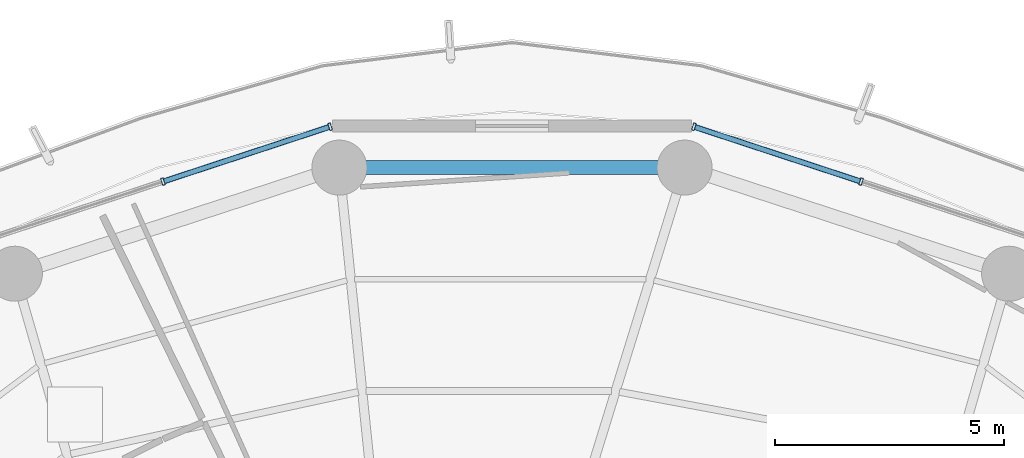
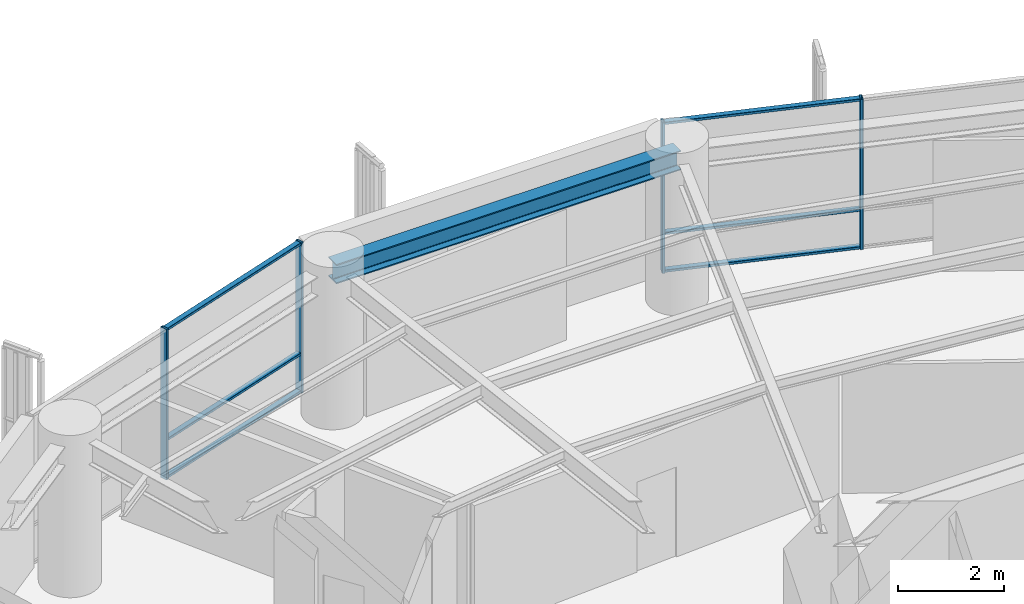
# One storey, part 18 of 29: 10 members, 1 beam, 2 elements without a shape of their own.
"""IFC4 building model written with IfcOpenShell, lengths in metres."""

from ifc_helpers import new_model, si_unit, direction, frame, origin, origin_2d, place, context, subcontext, project, spatial, hollow_rectangle, i_section, extrude, material, layer, layer_set, material_profile, profile_set, type_object, element, aggregate, save


model = new_model("IFC4")

# Units and contexts
model_context = context("Model", 3, precision=1e-05, world=origin(), true_north=direction((0.0, 1.0)))
body_context = subcontext(model_context, "Body", "Model", "MODEL_VIEW")
ifc_project = project(units=[si_unit("LENGTHUNIT", "METRE"), si_unit("AREAUNIT", "SQUARE_METRE"), si_unit("VOLUMEUNIT", "CUBIC_METRE"), si_unit("PLANEANGLEUNIT", "RADIAN"), si_unit("MASSUNIT", "GRAM", prefix="KILO")], contexts=[model_context])

# Site, building, storey
site_placement = place(None, origin())
site = spatial("IfcSite", under=ifc_project, at=site_placement, CompositionType="ELEMENT")
building_placement = place(site_placement, origin())
building = spatial("IfcBuilding", under=site, at=building_placement, Name="Kelanora Arch Commons", CompositionType="ELEMENT")
storey_placement = place(building_placement, frame((0.0, 0.0, 135.60009765625)))
storey = spatial("IfcBuildingStorey", under=building, at=storey_placement, Name="L34", CompositionType="ELEMENT", Elevation=135.60009765625)

# Beam
ifc_material_1 = material(Name="Steel S355", Category="steel")
ifc_material_profile_1 = material_profile(ifc_material_1, i_section(OverallWidth=0.300048828125, OverallDepth=0.449951171875, WebThickness=0.013916015625, FlangeThickness=0.02587890625, FilletRadius=0.027099609375, at=origin_2d()), Name="HEB450")
ifc_profile_set_1 = profile_set([ifc_material_profile_1], Name="Steel S355")
beam_type = type_object("IfcBeamType", Name="BM-SPN-Z3", PredefinedType="SPANDREL", material=ifc_profile_set_1)
beam_placement = place(storey_placement, frame((77.7646484375, 77.18408203125, 3.264892578125), z_axis=(-1.0, 0.0, 0.0), x_axis=(0.0, -1.0, 0.0)))
element("IfcBeam", 1, at=beam_placement, inside=storey, type_object=beam_type, Name="Perimeter Spandrel Beam BS-08 L34", PredefinedType="SPANDREL", context=body_context, shape_type="SweptSolid", body=[
    extrude(i_section(OverallWidth=0.300048828125, OverallDepth=0.449951171875, WebThickness=0.013916015625, FlangeThickness=0.02587890625, FilletRadius=0.027099609375, at=origin_2d()), origin(), (0.0, 0.0, 1.0), 7.529296875),
])

# Curtain wall, members
ifc_material_2 = material(Name="Terracotta ceramic-fritted low-E glass and aluminium", Category="masonry")
ifc_layer = layer(ifc_material_2, 0.175048828125)
ifc_layer_set = layer_set([ifc_layer], Name="Terracotta ceramic-fritted low-E glass and aluminium")
curtain_wall_type = type_object("IfcCurtainWallType", Name="CW-SYS-02", PredefinedType="NOTDEFINED", material=ifc_layer_set)
curtain_wall_1_placement = place(storey_placement, origin())
curtain_wall_1 = element("IfcCurtainWall", 2, at=curtain_wall_1_placement, inside=storey, type_object=curtain_wall_type, Name="Unitised Curtain Wall L34-B03", PredefinedType="NOTDEFINED")
ifc_material_3 = material(Name="Powder-coated aluminium terracotta", Category="masonry")
ifc_material_profile_2 = material_profile(ifc_material_3, hollow_rectangle(XDim=0.159912109375, YDim=0.06005859375, WallThickness=0.0048828125, InnerFilletRadius=0.0048828125, OuterFilletRadius=0.010009765625, at=origin_2d()), Name="CWM160x60")
ifc_profile_set_2 = profile_set([ifc_material_profile_2], Name="Powder-coated aluminium terracotta")
member_type_1 = type_object("IfcMemberType", Name="CWM-STD", PredefinedType="MULLION", material=ifc_profile_set_2)
member_1_placement = place(storey_placement, frame((81.6123046875, 76.87841796875, 0.0), z_axis=(0.0, 0.0, 1.0), x_axis=(-0.312128279571, -0.95003996605, 0.0)))
member_1 = element("IfcMember", 3, at=member_1_placement, type_object=member_type_1, Name="CW-02 mullion 2", PredefinedType="MULLION", context=body_context, shape_type="SweptSolid", body=[
    extrude(hollow_rectangle(XDim=0.159912109375, YDim=0.06005859375, WallThickness=0.0048828125, InnerFilletRadius=0.0048828125, OuterFilletRadius=0.010009765625, at=origin_2d()), origin(), (0.0, 0.0, 1.0), 3.474853515625),
])
member_2_placement = place(storey_placement, frame((77.96728515625, 78.075927734375, 0.0), z_axis=(0.0, 0.0, 1.0), x_axis=(-0.312128279571, -0.95003996605, 0.0)))
member_2 = element("IfcMember", 4, at=member_2_placement, type_object=member_type_1, Name="CW-02 mullion 3", PredefinedType="MULLION", context=body_context, shape_type="SweptSolid", body=[
    extrude(hollow_rectangle(XDim=0.159912109375, YDim=0.06005859375, WallThickness=0.0048828125, InnerFilletRadius=0.0048828125, OuterFilletRadius=0.010009765625, at=origin_2d()), origin(), (0.0, 0.0, 1.0), 3.474853515625),
])

curtain_wall_2_placement = place(storey_placement, origin())
curtain_wall_2 = element("IfcCurtainWall", 5, at=curtain_wall_2_placement, inside=storey, type_object=curtain_wall_type, Name="Unitised Curtain Wall L34-B05", PredefinedType="NOTDEFINED")
member_3_placement = place(storey_placement, frame((70.03271484375, 78.075927734375, 0.0), z_axis=(0.0, 0.0, 1.0), x_axis=(0.312128279571, -0.95003996605, 0.0)))
member_3 = element("IfcMember", 6, at=member_3_placement, type_object=member_type_1, Name="CW-02 mullion 1", PredefinedType="MULLION", context=body_context, shape_type="SweptSolid", body=[
    extrude(hollow_rectangle(XDim=0.159912109375, YDim=0.06005859375, WallThickness=0.0048828125, InnerFilletRadius=0.0048828125, OuterFilletRadius=0.010009765625, at=origin_2d()), origin(), (0.0, 0.0, 1.0), 3.474853515625),
])
member_4_placement = place(storey_placement, frame((66.3876953125, 76.87841796875, 0.0), z_axis=(0.0, 0.0, 1.0), x_axis=(0.312128279571, -0.95003996605, 0.0)))
member_4 = element("IfcMember", 7, at=member_4_placement, type_object=member_type_1, Name="CW-02 mullion 2", PredefinedType="MULLION", context=body_context, shape_type="SweptSolid", body=[
    extrude(hollow_rectangle(XDim=0.159912109375, YDim=0.06005859375, WallThickness=0.0048828125, InnerFilletRadius=0.0048828125, OuterFilletRadius=0.010009765625, at=origin_2d()), origin(), (0.0, 0.0, 1.0), 3.474853515625),
])

# Member
ifc_material_profile_3 = material_profile(ifc_material_3, hollow_rectangle(XDim=0.1201171875, YDim=0.06005859375, WallThickness=0.0048828125, InnerFilletRadius=0.0048828125, OuterFilletRadius=0.010009765625, at=origin_2d()), Name="CWT120x60")
ifc_profile_set_3 = profile_set([ifc_material_profile_3], Name="Powder-coated aluminium terracotta")
member_type_2 = type_object("IfcMemberType", Name="CWT-STD", PredefinedType="USERDEFINED", material=ifc_profile_set_3)
member_5_placement = place(storey_placement, frame((81.583740234375, 76.887939453125, 0.02978515625), z_axis=(-0.950051191155, 0.312094111104, 0.0), x_axis=(-0.312094111104, -0.950051191155, 0.0)))
member_5 = element("IfcMember", 8, at=member_5_placement, type_object=member_type_2, Name="CW-02 transom 2.1", ObjectType="TRANSOM", PredefinedType="USERDEFINED", context=body_context, shape_type="SweptSolid", body=[
    extrude(hollow_rectangle(XDim=0.1201171875, YDim=0.06005859375, WallThickness=0.0048828125, InnerFilletRadius=0.0048828125, OuterFilletRadius=0.010009765625, at=origin_2d()), origin(), (0.0, 0.0, 1.0), 3.77685546875),
])

member_6_placement = place(storey_placement, frame((81.583740234375, 76.887939453125, 0.89990234375), z_axis=(-0.950051191155, 0.312094111104, 0.0), x_axis=(-0.312094111104, -0.950051191155, 0.0)))
member_6 = element("IfcMember", 9, at=member_6_placement, type_object=member_type_2, Name="CW-02 transom 2.2", ObjectType="TRANSOM", PredefinedType="USERDEFINED", context=body_context, shape_type="SweptSolid", body=[
    extrude(hollow_rectangle(XDim=0.1201171875, YDim=0.06005859375, WallThickness=0.0048828125, InnerFilletRadius=0.0048828125, OuterFilletRadius=0.010009765625, at=origin_2d()), origin(), (0.0, 0.0, 1.0), 3.77685546875),
])

member_7_placement = place(storey_placement, frame((81.583740234375, 76.887939453125, 3.44482421875), z_axis=(-0.950051191155, 0.312094111104, 0.0), x_axis=(-0.312094111104, -0.950051191155, 0.0)))
member_7 = element("IfcMember", 10, at=member_7_placement, type_object=member_type_2, Name="CW-02 transom 2.3", ObjectType="TRANSOM", PredefinedType="USERDEFINED", context=body_context, shape_type="SweptSolid", body=[
    extrude(hollow_rectangle(XDim=0.1201171875, YDim=0.06005859375, WallThickness=0.0048828125, InnerFilletRadius=0.0048828125, OuterFilletRadius=0.010009765625, at=origin_2d()), origin(), (0.0, 0.0, 1.0), 3.77685546875),
])

aggregate(curtain_wall_1, [member_1, member_2, member_5, member_6, member_7])

member_8_placement = place(storey_placement, frame((70.00439453125, 78.066650390625, 0.02978515625), z_axis=(-0.950051191155, -0.312094111104, 0.0), x_axis=(0.312094111104, -0.950051191155, 0.0)))
member_8 = element("IfcMember", 11, at=member_8_placement, type_object=member_type_2, Name="CW-02 transom 1.1", ObjectType="TRANSOM", PredefinedType="USERDEFINED", context=body_context, shape_type="SweptSolid", body=[
    extrude(hollow_rectangle(XDim=0.1201171875, YDim=0.06005859375, WallThickness=0.0048828125, InnerFilletRadius=0.0048828125, OuterFilletRadius=0.010009765625, at=origin_2d()), origin(), (0.0, 0.0, 1.0), 3.77685546875),
])

member_9_placement = place(storey_placement, frame((70.00439453125, 78.066650390625, 0.89990234375), z_axis=(-0.950051191155, -0.312094111104, 0.0), x_axis=(0.312094111104, -0.950051191155, 0.0)))
member_9 = element("IfcMember", 12, at=member_9_placement, type_object=member_type_2, Name="CW-02 transom 1.2", ObjectType="TRANSOM", PredefinedType="USERDEFINED", context=body_context, shape_type="SweptSolid", body=[
    extrude(hollow_rectangle(XDim=0.1201171875, YDim=0.06005859375, WallThickness=0.0048828125, InnerFilletRadius=0.0048828125, OuterFilletRadius=0.010009765625, at=origin_2d()), origin(), (0.0, 0.0, 1.0), 3.77685546875),
])

member_10_placement = place(storey_placement, frame((70.00439453125, 78.066650390625, 3.44482421875), z_axis=(-0.950051191155, -0.312094111104, 0.0), x_axis=(0.312094111104, -0.950051191155, 0.0)))
member_10 = element("IfcMember", 13, at=member_10_placement, type_object=member_type_2, Name="CW-02 transom 1.3", ObjectType="TRANSOM", PredefinedType="USERDEFINED", context=body_context, shape_type="SweptSolid", body=[
    extrude(hollow_rectangle(XDim=0.1201171875, YDim=0.06005859375, WallThickness=0.0048828125, InnerFilletRadius=0.0048828125, OuterFilletRadius=0.010009765625, at=origin_2d()), origin(), (0.0, 0.0, 1.0), 3.77685546875),
])

aggregate(curtain_wall_2, [member_3, member_4, member_8, member_9, member_10])

save(model, "model.ifc")
